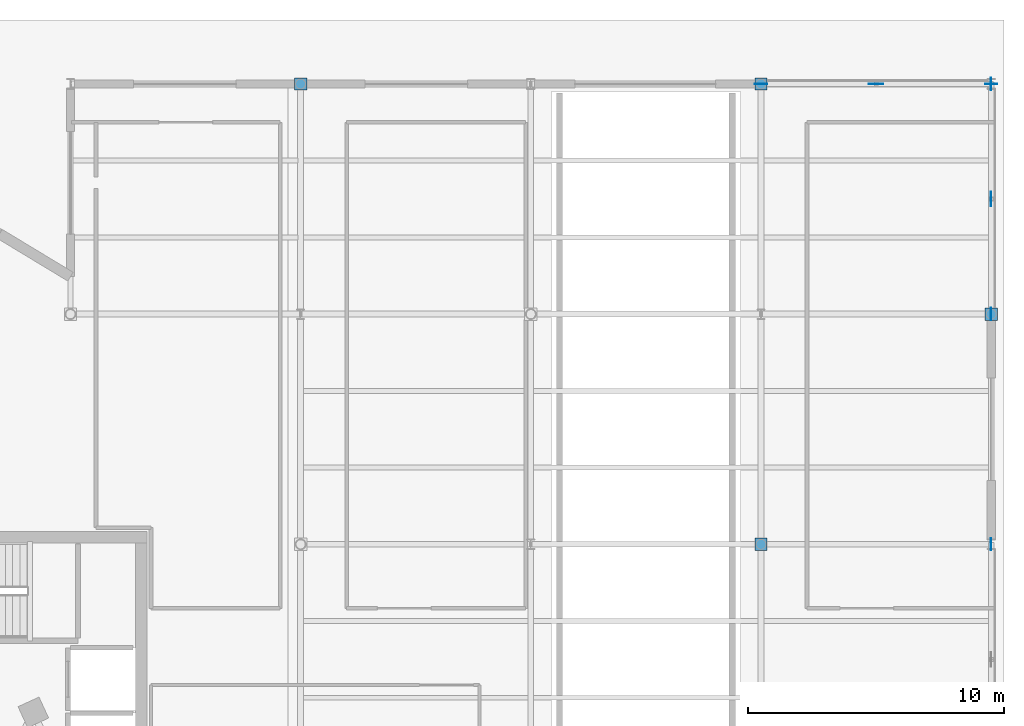
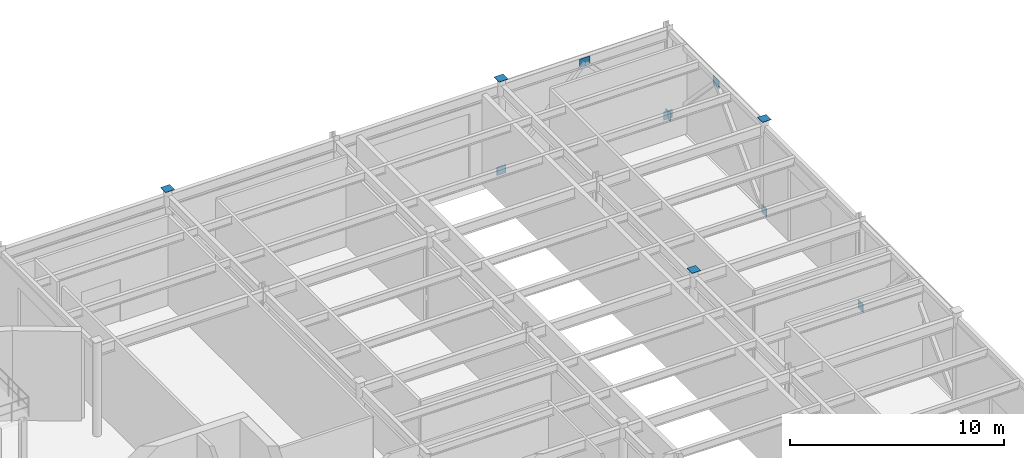
# One storey, part 69 of 79: 11 discrete accessories.
"""IFC4 building model written with IfcOpenShell, lengths in metres."""

from ifc_helpers import new_model, si_unit, direction, frame, origin, origin_2d, place, context, subcontext, project, spatial, rectangle, extrude, material, type_object, element, save


model = new_model("IFC4")

# Units and contexts
model_context = context("Model", 3, precision=1e-05, world=origin(), true_north=direction((0.0, 1.0)))
body_context = subcontext(model_context, "Body", "Model", "MODEL_VIEW")
ifc_project = project(units=[si_unit("LENGTHUNIT", "METRE"), si_unit("AREAUNIT", "SQUARE_METRE"), si_unit("VOLUMEUNIT", "CUBIC_METRE"), si_unit("PLANEANGLEUNIT", "RADIAN"), si_unit("MASSUNIT", "GRAM", prefix="KILO")], contexts=[model_context])

# Site, building, storey
site_placement = place(None, origin())
site = spatial("IfcSite", under=ifc_project, at=site_placement, CompositionType="ELEMENT")
building_placement = place(site_placement, origin())
building = spatial("IfcBuilding", under=site, at=building_placement, Name="Glasvene Arena", CompositionType="ELEMENT")
storey_placement = place(building_placement, origin())
storey = spatial("IfcBuildingStorey", under=building, at=storey_placement, Name="L00", CompositionType="ELEMENT", Elevation=0.0)

# Discrete accessories
ifc_material = material(Name="Steel S355J2", Category="steel")
discrete_accessory_type_1 = type_object("IfcDiscreteAccessoryType", Name="ACC-BRACE-GP20", PredefinedType="BRACKET", material=ifc_material)
for number, where, z_axis, x_axis, name in (
    (1, (174.0, 100.0, -0.070068359375), (0.0, 0.0, 1.0), (1.0, 0.0, 0.0), "Chevron brace base gusset plate L00-002-B"),
    (2, (174.0, 109.0, -0.070068359375), (0.0, 0.0, 1.0), (1.0, 0.0, 0.0), "Chevron brace base gusset plate L00-005-A"),
    (3, (174.0, 118.0, -0.070068359375), (0.0, 0.0, 1.0), (1.0, 0.0, 0.0), "Chevron brace base gusset plate L00-006-B"),
):
    element("IfcDiscreteAccessory", number, at=place(storey_placement, frame(where, z_axis=z_axis, x_axis=x_axis)), inside=storey, type_object=discrete_accessory_type_1, Name=name, PredefinedType="BRACKET", context=body_context, shape_type="SweptSolid", body=[
        extrude(rectangle(XDim=0.02001953125, YDim=0.47998046875, at=origin_2d()), origin(), (0.0, 0.0, 1.0), 0.47998046875),
    ])
discrete_accessory_1_placement = place(storey_placement, frame((174.0, 113.5, 4.530029296875), z_axis=(0.0, 0.0, 1.0), x_axis=(1.0, 0.0, 0.0)))
element("IfcDiscreteAccessory", 4, at=discrete_accessory_1_placement, inside=storey, type_object=discrete_accessory_type_1, Name="Chevron brace apex gusset plate L00-006", PredefinedType="BRACKET", context=body_context, shape_type="SweptSolid", body=[
    extrude(rectangle(XDim=0.02001953125, YDim=0.56005859375, at=origin_2d()), origin(), (0.0, 0.0, 1.0), 0.47998046875),
])
for number, where, z_axis, x_axis, name in (
    (5, (165.0, 118.0, -0.070068359375), (0.0, 0.0, 1.0), (1.0, 0.0, 0.0), "Chevron brace base gusset plate L00-033-A"),
    (6, (174.0, 118.0, -0.070068359375), (0.0, 0.0, 1.0), (1.0, 0.0, 0.0), "Chevron brace base gusset plate L00-034-B"),
):
    element("IfcDiscreteAccessory", number, at=place(storey_placement, frame(where, z_axis=z_axis, x_axis=x_axis)), inside=storey, type_object=discrete_accessory_type_1, Name=name, PredefinedType="BRACKET", context=body_context, shape_type="SweptSolid", body=[
        extrude(rectangle(XDim=0.47998046875, YDim=0.02001953125, at=origin_2d()), origin(), (0.0, 0.0, 1.0), 0.47998046875),
    ])
discrete_accessory_2_placement = place(storey_placement, frame((169.5, 118.0, 4.530029296875), z_axis=(0.0, 0.0, 1.0), x_axis=(1.0, 0.0, 0.0)))
element("IfcDiscreteAccessory", 7, at=discrete_accessory_2_placement, inside=storey, type_object=discrete_accessory_type_1, Name="Chevron brace apex gusset plate L00-034", PredefinedType="BRACKET", context=body_context, shape_type="SweptSolid", body=[
    extrude(rectangle(XDim=0.56005859375, YDim=0.02001953125, at=origin_2d()), origin(), (0.0, 0.0, 1.0), 0.47998046875),
])
discrete_accessory_type_2 = type_object("IfcDiscreteAccessoryType", Name="ACC-CAP-CHS420", PredefinedType="USERDEFINED", material=ifc_material)
for number, where, z_axis, x_axis, name in (
    (8, (147.0, 118.0, 5.39794921875), (0.0, 0.0, 1.0), (1.0, 0.0, 0.0), "Hollow column top cap plate 17-14 L00"),
    (9, (165.0, 100.0, 5.39794921875), (0.0, 0.0, 1.0), (1.0, 0.0, 0.0), "Hollow column top cap plate 19-12 L00"),
    (10, (165.0, 118.0, 5.39794921875), (0.0, 0.0, 1.0), (1.0, 0.0, 0.0), "Hollow column top cap plate 19-14 L00"),
    (11, (174.0, 109.0, 5.39794921875), (0.0, 0.0, 1.0), (1.0, 0.0, 0.0), "Hollow column top cap plate 20-13 L00"),
):
    element("IfcDiscreteAccessory", number, at=place(storey_placement, frame(where, z_axis=z_axis, x_axis=x_axis)), inside=storey, type_object=discrete_accessory_type_2, Name=name, ObjectType="CAP PLATE", PredefinedType="USERDEFINED", context=body_context, shape_type="SweptSolid", body=[
        extrude(rectangle(XDim=0.47998046875, YDim=0.47998046875, at=origin_2d()), origin(), (0.0, 0.0, 1.0), 0.02001953125),
    ])

save(model, "model.ifc")
